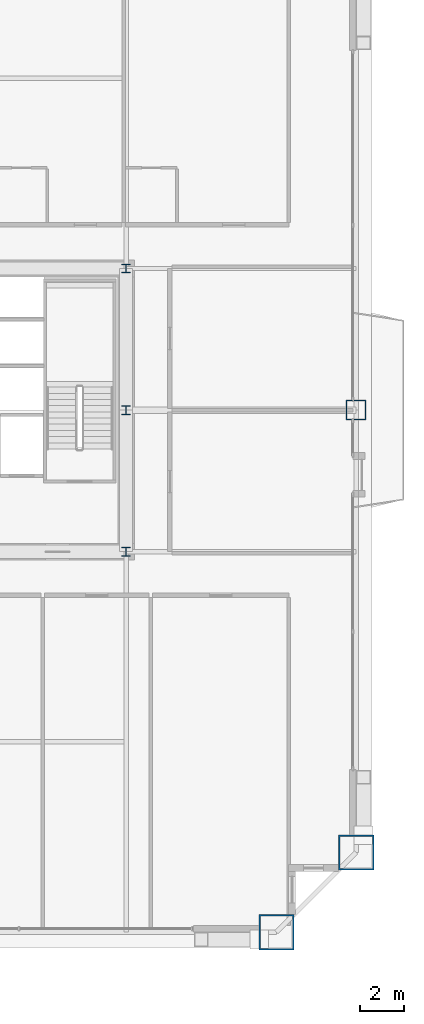
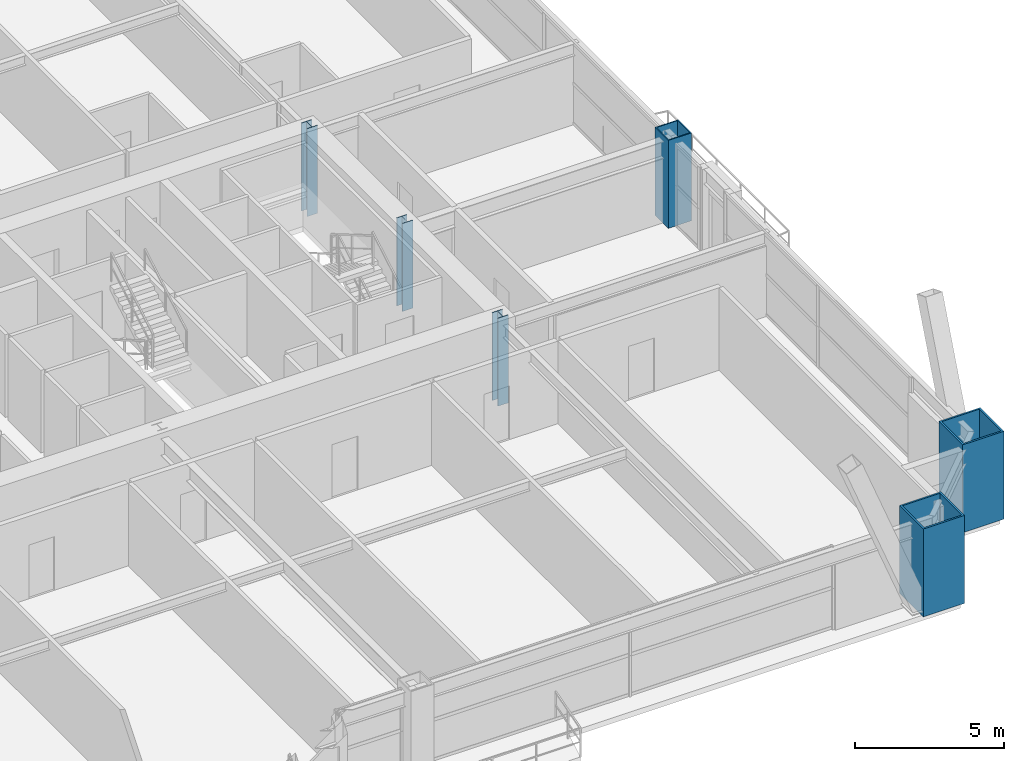
# One storey, part 2 of 43: 6 columns.
"""IFC4 building model written with IfcOpenShell, lengths in metres."""

from ifc_helpers import new_model, si_unit, direction, frame, origin, origin_2d, place, context, subcontext, project, spatial, hollow_rectangle, i_section, extrude, source, transform, mapped, material, material_profile, profile_set, type_object, element, save


model = new_model("IFC4")

# Units and contexts
model_context = context("Model", 3, precision=1e-05, world=origin(), true_north=direction((0.0, 1.0)))
body_context = subcontext(model_context, "Body", "Model", "MODEL_VIEW")
ifc_project = project(units=[si_unit("LENGTHUNIT", "METRE"), si_unit("AREAUNIT", "SQUARE_METRE"), si_unit("VOLUMEUNIT", "CUBIC_METRE"), si_unit("PLANEANGLEUNIT", "RADIAN"), si_unit("MASSUNIT", "GRAM", prefix="KILO"), si_unit("THERMODYNAMICTEMPERATUREUNIT", "KELVIN"), si_unit("POWERUNIT", "WATT")], contexts=[model_context])

# Site, building, storey
site_placement = place(None, origin())
site = spatial("IfcSite", under=ifc_project, at=site_placement, CompositionType="ELEMENT")
building_placement = place(site_placement, origin())
building = spatial("IfcBuilding", under=site, at=building_placement, Name="Yuzanri Waterfront Tower", CompositionType="ELEMENT")
storey_placement = place(building_placement, frame((0.0, 0.0, 159.60009765625)))
storey = spatial("IfcBuildingStorey", under=building, at=storey_placement, Name="L42", CompositionType="ELEMENT", Elevation=159.60009765625)

# Columns
ifc_material_1 = material(Name="Steel Q390GJC", Category="steel")
ifc_material_profile_1 = material_profile(ifc_material_1, hollow_rectangle(XDim=0.89990234375, YDim=0.89990234375, WallThickness=0.0419921875, at=origin_2d()), Name="RHS 900x900x42")
ifc_profile_set_1 = profile_set([ifc_material_profile_1], Name="Steel Q390GJC")
column_type_1 = type_object("IfcColumnType", Name="Frame Column Q390GJC RHS 900x900x42", PredefinedType="COLUMN", material=ifc_profile_set_1)
shared_shape_1 = source(origin(), body_context, "Body", "SweptSolid", [
    extrude(hollow_rectangle(XDim=0.89990234375, YDim=0.89990234375, WallThickness=0.0419921875, at=origin_2d()), origin(), (0.0, 0.0, 1.0), 3.599853515625),
])
column_placement = place(storey_placement, frame((60.60009765625, 25.800048828125, 0.0), z_axis=(0.0, 0.0, 1.0), x_axis=(1.0, 0.0, 0.0)))
element("IfcColumn", 1, at=column_placement, inside=storey, type_object=column_type_1, Name="L42 Perimeter Frame Column E2", PredefinedType="COLUMN", context=body_context, shape_type="MappedRepresentation", body=[
    mapped(shared_shape_1, transform((0.0, 0.0, 0.0), scale=1.0)),
])
ifc_material_2 = material(Name="Steel Q420GJC", Category="steel")
ifc_material_profile_2 = material_profile(ifc_material_2, hollow_rectangle(XDim=1.60009765625, YDim=1.60009765625, WallThickness=0.070068359375, at=origin_2d()), Name="RHS 1600x1600x70")
ifc_profile_set_2 = profile_set([ifc_material_profile_2], Name="Steel Q420GJC")
column_type_2 = type_object("IfcColumnType", Name="Mega Column Q420GJC RHS 1600x1600x70", PredefinedType="COLUMN", material=ifc_profile_set_2)
shared_shape_2 = source(origin(), body_context, "Body", "SweptSolid", [
    extrude(hollow_rectangle(XDim=1.60009765625, YDim=1.60009765625, WallThickness=0.070068359375, at=origin_2d()), origin(), (0.0, 0.0, 1.0), 3.599853515625),
])
for number, where, z_axis, x_axis, name in (
    (2, (57.0, 2.199951171875, 0.0), (0.0, 0.0, 1.0), (1.0, 0.0, 0.0), "L42 Perimeter Mega Column S3"),
    (3, (60.60009765625, 5.800048828125, 0.0), (0.0, 0.0, 1.0), (1.0, 0.0, 0.0), "L42 Perimeter Mega Column E1"),
):
    element("IfcColumn", number, at=place(storey_placement, frame(where, z_axis=z_axis, x_axis=x_axis)), inside=storey, type_object=column_type_2, Name=name, PredefinedType="COLUMN", context=body_context, shape_type="MappedRepresentation", body=[
        mapped(shared_shape_2, transform((0.0, 0.0, 0.0), scale=1.0)),
    ])
ifc_material_3 = material(Name="Steel Q355B", Category="steel")
ifc_material_profile_3 = material_profile(ifc_material_3, i_section(OverallWidth=0.39990234375, OverallDepth=0.39990234375, WebThickness=0.012939453125, FlangeThickness=0.02099609375, at=origin_2d()), Name="HW 400x400x13x21")
ifc_profile_set_3 = profile_set([ifc_material_profile_3], Name="Steel Q355B")
column_type_3 = type_object("IfcColumnType", Name="Core Post Q355B HW 400x400x13x21", PredefinedType="COLUMN", material=ifc_profile_set_3)
shared_shape_3 = source(origin(), body_context, "Body", "SweptSolid", [
    extrude(i_section(OverallWidth=0.39990234375, OverallDepth=0.39990234375, WebThickness=0.012939453125, FlangeThickness=0.02099609375, at=origin_2d()), origin(), (0.0, 0.0, 1.0), 3.599853515625),
])
for number, where, z_axis, x_axis, name in (
    (4, (50.199951171875, 19.39990234375, 0.0), (0.0, 0.0, 1.0), (1.0, 0.0, 0.0), "L42 Core Boundary Column CP3"),
    (5, (50.199951171875, 25.800048828125, 0.0), (0.0, 0.0, 1.0), (1.0, 0.0, 0.0), "L42 Core Boundary Column CP5"),
    (6, (50.199951171875, 32.199951171875, 0.0), (0.0, 0.0, 1.0), (1.0, 0.0, 0.0), "L42 Core Boundary Column CP8"),
):
    element("IfcColumn", number, at=place(storey_placement, frame(where, z_axis=z_axis, x_axis=x_axis)), inside=storey, type_object=column_type_3, Name=name, PredefinedType="COLUMN", context=body_context, shape_type="MappedRepresentation", body=[
        mapped(shared_shape_3, transform((0.0, 0.0, 0.0), scale=1.0)),
    ])

save(model, "model.ifc")
